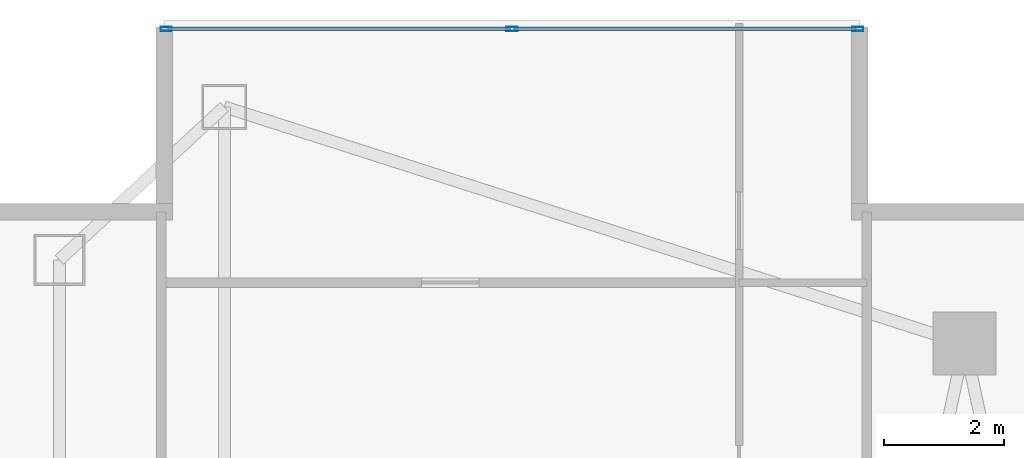
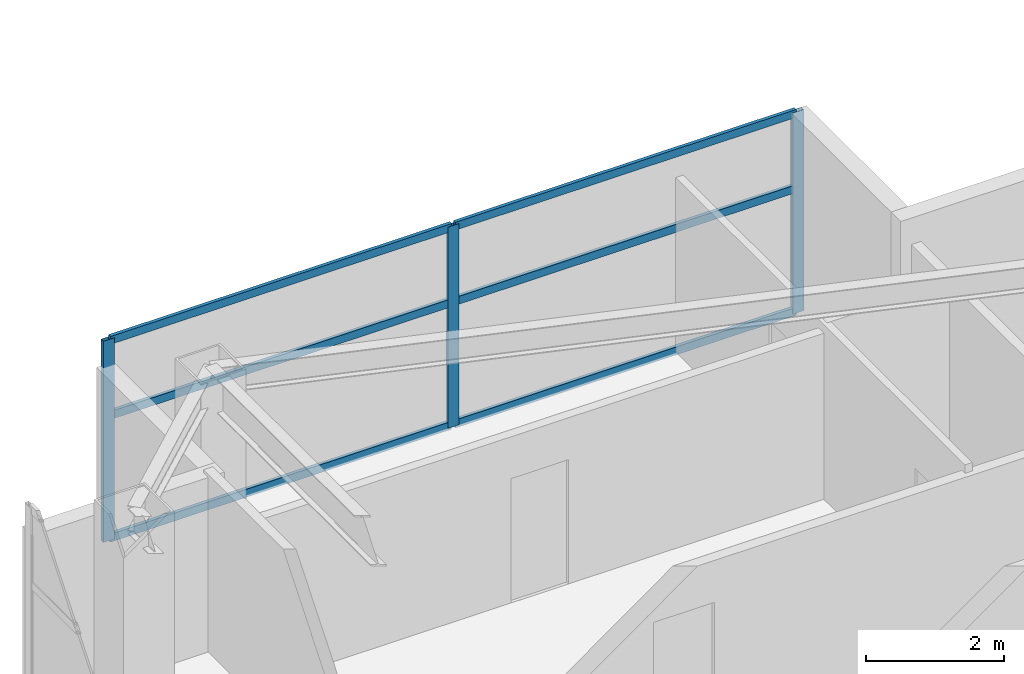
# One storey, part 21 of 30: 9 members, 1 element without a shape of its own.
"""IFC4 building model written with IfcOpenShell, lengths in metres."""

from ifc_helpers import new_model, si_unit, direction, frame, origin, origin_2d, place, context, subcontext, project, spatial, hollow_rectangle, extrude, material, layer, layer_set, material_profile, profile_set, type_object, element, aggregate, save


model = new_model("IFC4")

# Units and contexts
model_context = context("Model", 3, precision=1e-05, world=origin(), true_north=direction((0.0, 1.0)))
body_context = subcontext(model_context, "Body", "Model", "MODEL_VIEW")
ifc_project = project(units=[si_unit("LENGTHUNIT", "METRE"), si_unit("AREAUNIT", "SQUARE_METRE"), si_unit("VOLUMEUNIT", "CUBIC_METRE"), si_unit("PLANEANGLEUNIT", "RADIAN"), si_unit("MASSUNIT", "GRAM", prefix="KILO")], contexts=[model_context])

# Site, building, storey
site_placement = place(None, origin())
site = spatial("IfcSite", under=ifc_project, at=site_placement, CompositionType="ELEMENT")
building_placement = place(site_placement, origin())
building = spatial("IfcBuilding", under=site, at=building_placement, Name="Calvorn Quay Hotel", CompositionType="ELEMENT")
storey_placement = place(building_placement, frame((0.0, 0.0, 191.300048828125)))
storey = spatial("IfcBuildingStorey", under=building, at=storey_placement, Name="L47", CompositionType="ELEMENT", Elevation=191.300048828125)

# Curtain wall, members
ifc_material_1 = material(Name="Champagne Bronze Anodised Aluminium and Low-E Glass", Category="aluminium")
ifc_layer = layer(ifc_material_1, 0.219970703125)
ifc_layer_set = layer_set([ifc_layer], Name="CW-SYS-Z3")
curtain_wall_type = type_object("IfcCurtainWallType", Name="CW-SYS-Z3", PredefinedType="NOTDEFINED", material=ifc_layer_set)
curtain_wall_placement = place(storey_placement, origin())
curtain_wall = element("IfcCurtainWall", 1, at=curtain_wall_placement, inside=storey, type_object=curtain_wall_type, Name="Inner Court Curtain Wall L47-N1", PredefinedType="NOTDEFINED")
ifc_material_2 = material(Name="Champagne Bronze Anodised Aluminium 6063-T6", Category="aluminium")
ifc_material_profile_1 = material_profile(ifc_material_2, hollow_rectangle(XDim=0.068115234375, YDim=0.18505859375, WallThickness=0.00390625, at=origin_2d()), Name="ALU-M185x68x4")
ifc_profile_set_1 = profile_set([ifc_material_profile_1], Name="Champagne Bronze Anodised Aluminium 6063-T6")
member_type_1 = type_object("IfcMemberType", Name="CW-SYS-Z3-MUL", PredefinedType="MULLION", material=ifc_profile_set_1)
member_1_placement = place(storey_placement, frame((14.77001953125, 50.85009765625, 0.0), z_axis=(0.0, 0.0, 1.0), x_axis=(0.0, -1.0, 0.0)))
member_1 = element("IfcMember", 2, at=member_1_placement, type_object=member_type_1, Name="CW-L47-N1 mullion 1", PredefinedType="MULLION", context=body_context, shape_type="SweptSolid", body=[
    extrude(hollow_rectangle(XDim=0.068115234375, YDim=0.18505859375, WallThickness=0.00390625, at=origin_2d()), origin(), (0.0, 0.0, 1.0), 3.56005859375),
])
member_2_placement = place(storey_placement, frame((9.0, 50.85009765625, 0.0), z_axis=(0.0, 0.0, 1.0), x_axis=(0.0, -1.0, 0.0)))
member_2 = element("IfcMember", 3, at=member_2_placement, type_object=member_type_1, Name="CW-L47-N1 mullion 2", PredefinedType="MULLION", context=body_context, shape_type="SweptSolid", body=[
    extrude(hollow_rectangle(XDim=0.068115234375, YDim=0.18505859375, WallThickness=0.00390625, at=origin_2d()), origin(), (0.0, 0.0, 1.0), 3.56005859375),
])
member_3_placement = place(storey_placement, frame((3.22998046875, 50.85009765625, 0.0), z_axis=(0.0, 0.0, 1.0), x_axis=(0.0, -1.0, 0.0)))
member_3 = element("IfcMember", 4, at=member_3_placement, type_object=member_type_1, Name="CW-L47-N1 mullion 3", PredefinedType="MULLION", context=body_context, shape_type="SweptSolid", body=[
    extrude(hollow_rectangle(XDim=0.068115234375, YDim=0.18505859375, WallThickness=0.00390625, at=origin_2d()), origin(), (0.0, 0.0, 1.0), 3.56005859375),
])
ifc_material_3 = material(Name="Champagne Bronze Anodised Aluminium 6063-T6", Category="aluminium")
ifc_material_profile_2 = material_profile(ifc_material_3, hollow_rectangle(XDim=0.05810546875, YDim=0.139892578125, WallThickness=0.003173828125, at=origin_2d()), Name="ALU-T140x58x3.2")
ifc_profile_set_2 = profile_set([ifc_material_profile_2], Name="Champagne Bronze Anodised Aluminium 6063-T6")
member_type_2 = type_object("IfcMemberType", Name="CW-SYS-Z3-TRN", PredefinedType="USERDEFINED", material=ifc_profile_set_2)
member_4_placement = place(storey_placement, frame((14.739990234375, 50.85009765625, 0.030029296875), z_axis=(-1.0, 0.0, 0.0), x_axis=(0.0, -1.0, 0.0)))
member_4 = element("IfcMember", 5, at=member_4_placement, type_object=member_type_2, Name="CW-L47-N1 transom 1.1", ObjectType="TRANSOM", PredefinedType="USERDEFINED", context=body_context, shape_type="SweptSolid", body=[
    extrude(hollow_rectangle(XDim=0.05810546875, YDim=0.139892578125, WallThickness=0.003173828125, at=origin_2d()), origin(), (0.0, 0.0, 1.0), 5.7099609375),
])
member_5_placement = place(storey_placement, frame((14.739990234375, 50.85009765625, 2.199951171875), z_axis=(-1.0, 0.0, 0.0), x_axis=(0.0, -1.0, 0.0)))
member_5 = element("IfcMember", 6, at=member_5_placement, type_object=member_type_2, Name="CW-L47-N1 transom 1.2", ObjectType="TRANSOM", PredefinedType="USERDEFINED", context=body_context, shape_type="SweptSolid", body=[
    extrude(hollow_rectangle(XDim=0.05810546875, YDim=0.139892578125, WallThickness=0.003173828125, at=origin_2d()), origin(), (0.0, 0.0, 1.0), 5.7099609375),
])
member_6_placement = place(storey_placement, frame((14.739990234375, 50.85009765625, 3.530029296875), z_axis=(-1.0, 0.0, 0.0), x_axis=(0.0, -1.0, 0.0)))
member_6 = element("IfcMember", 7, at=member_6_placement, type_object=member_type_2, Name="CW-L47-N1 transom 1.3", ObjectType="TRANSOM", PredefinedType="USERDEFINED", context=body_context, shape_type="SweptSolid", body=[
    extrude(hollow_rectangle(XDim=0.05810546875, YDim=0.139892578125, WallThickness=0.003173828125, at=origin_2d()), origin(), (0.0, 0.0, 1.0), 5.7099609375),
])
member_7_placement = place(storey_placement, frame((8.969970703125, 50.85009765625, 0.030029296875), z_axis=(-1.0, 0.0, 0.0), x_axis=(0.0, -1.0, 0.0)))
member_7 = element("IfcMember", 8, at=member_7_placement, type_object=member_type_2, Name="CW-L47-N1 transom 2.1", ObjectType="TRANSOM", PredefinedType="USERDEFINED", context=body_context, shape_type="SweptSolid", body=[
    extrude(hollow_rectangle(XDim=0.05810546875, YDim=0.139892578125, WallThickness=0.003173828125, at=origin_2d()), origin(), (0.0, 0.0, 1.0), 5.7099609375),
])
member_8_placement = place(storey_placement, frame((8.969970703125, 50.85009765625, 2.199951171875), z_axis=(-1.0, 0.0, 0.0), x_axis=(0.0, -1.0, 0.0)))
member_8 = element("IfcMember", 9, at=member_8_placement, type_object=member_type_2, Name="CW-L47-N1 transom 2.2", ObjectType="TRANSOM", PredefinedType="USERDEFINED", context=body_context, shape_type="SweptSolid", body=[
    extrude(hollow_rectangle(XDim=0.05810546875, YDim=0.139892578125, WallThickness=0.003173828125, at=origin_2d()), origin(), (0.0, 0.0, 1.0), 5.7099609375),
])
member_9_placement = place(storey_placement, frame((8.969970703125, 50.85009765625, 3.530029296875), z_axis=(-1.0, 0.0, 0.0), x_axis=(0.0, -1.0, 0.0)))
member_9 = element("IfcMember", 10, at=member_9_placement, type_object=member_type_2, Name="CW-L47-N1 transom 2.3", ObjectType="TRANSOM", PredefinedType="USERDEFINED", context=body_context, shape_type="SweptSolid", body=[
    extrude(hollow_rectangle(XDim=0.05810546875, YDim=0.139892578125, WallThickness=0.003173828125, at=origin_2d()), origin(), (0.0, 0.0, 1.0), 5.7099609375),
])
aggregate(curtain_wall, [member_1, member_2, member_3, member_4, member_5, member_6, member_7, member_8, member_9])

save(model, "model.ifc")
